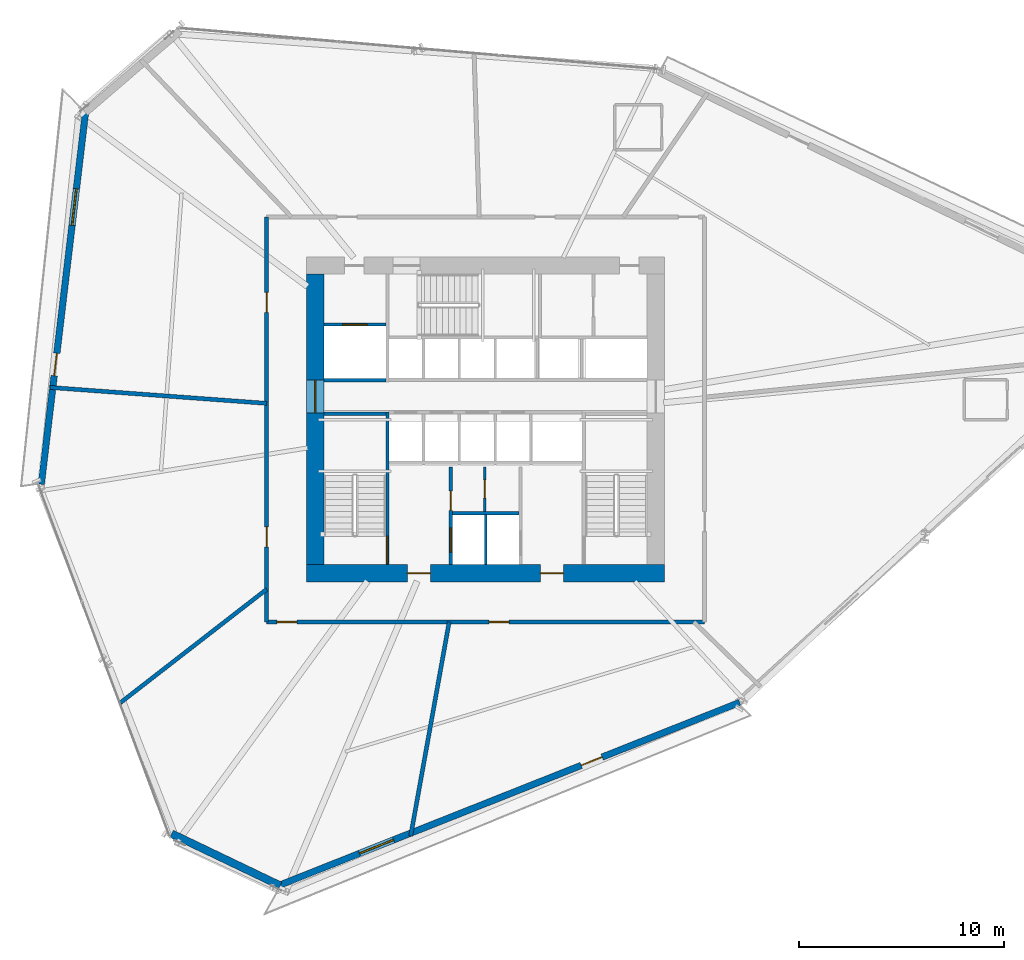
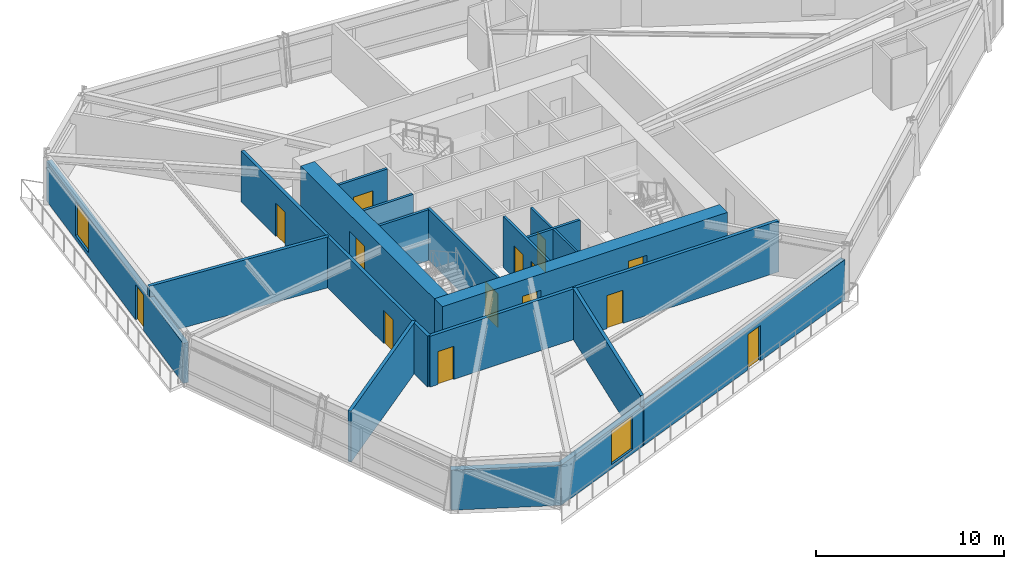
# One storey, part 15 of 21: 18 walls, 14 doors, 2 windows, 16 openings.
"""IFC4 building model written with IfcOpenShell, lengths in metres."""

from ifc_helpers import new_model, si_unit, direction, frame, frame_2d, origin, place, context, subcontext, project, spatial, rectangle, extrude, source, transform, mapped, material, layer, layer_set, type_object, type_shapes, element, fill, save


model = new_model("IFC4")

# Units and contexts
model_context = context("Model", 3, precision=1e-05, world=origin(), true_north=direction((0.0, 1.0)))
body_context = subcontext(model_context, "Body", "Model", "MODEL_VIEW")
ifc_project = project(units=[si_unit("LENGTHUNIT", "METRE"), si_unit("AREAUNIT", "SQUARE_METRE"), si_unit("VOLUMEUNIT", "CUBIC_METRE"), si_unit("PLANEANGLEUNIT", "RADIAN"), si_unit("MASSUNIT", "GRAM", prefix="KILO")], contexts=[model_context])

# Site, building, storey
site_placement = place(None, origin())
site = spatial("IfcSite", under=ifc_project, at=site_placement, CompositionType="ELEMENT")
building_placement = place(site_placement, origin())
building = spatial("IfcBuilding", under=site, at=building_placement, Name="Olszyna Solenne Hotel", CompositionType="ELEMENT")
storey_placement = place(building_placement, frame((0.0, 0.0, 68.35009765625)))
storey = spatial("IfcBuildingStorey", under=building, at=storey_placement, Name="L17", CompositionType="ELEMENT", Elevation=68.35009765625)

# Wall, openings, doors
ifc_material_1 = material(Name="Concrete C60/75", Category="concrete")
ifc_layer_1 = layer(ifc_material_1, 0.85009765625, Name="Concrete C60/75")
ifc_layer_set_1 = layer_set([ifc_layer_1], Name="Concrete C60/75")
wall_type_1 = type_object("IfcWallType", Name="WL-CR850", PredefinedType="SHEAR", material=ifc_layer_set_1)
wall_1_placement = place(storey_placement, frame((46.75, 19.074951171875, 0.0), z_axis=(0.0, 0.0, 1.0), x_axis=(-1.0, 0.0, 0.0)))
wall_1 = element("IfcWall", 1, at=wall_1_placement, inside=storey, type_object=wall_type_1, Name="Core shear wall WL-CR850 CRW-L17-S", PredefinedType="SHEAR", context=body_context, shape_type="SweptSolid", body=[
    extrude(rectangle(XDim=17.5, YDim=0.85009765625, at=frame_2d((8.75, 0.0))), origin(), (0.0, 0.0, 1.0), 3.2998046875),
])
opening_1_placement = place(wall_1_placement, frame((4.949951171875, 0.0, 0.0)))
opening_1 = element("IfcOpeningElement", 2, at=opening_1_placement, cuts=wall_1, Name="Opening FL-L17-1", PredefinedType="OPENING", context=body_context, shape_type="SweptSolid", body=[
    extrude(rectangle(XDim=1.1201171875, YDim=2.25, at=frame_2d((0.56005859375, 1.125))), frame((0.0, 0.43505859375, 0.0), z_axis=(0.0, -1.0, 0.0), x_axis=(1.0, 0.0, 0.0)), (0.0, 0.0, 1.0), 0.8701171875),
])
opening_2_placement = place(wall_1_placement, frame((11.449951171875, 0.0, 0.0)))
opening_2 = element("IfcOpeningElement", 3, at=opening_2_placement, cuts=wall_1, Name="Opening FL-L17-2", PredefinedType="OPENING", context=body_context, shape_type="SweptSolid", body=[
    extrude(rectangle(XDim=1.1201171875, YDim=2.25, at=frame_2d((0.56005859375, 1.125))), frame((0.0, 0.43505859375, 0.0), z_axis=(0.0, -1.0, 0.0), x_axis=(1.0, 0.0, 0.0)), (0.0, 0.0, 1.0), 0.8701171875),
])
ifc_material_2 = material(Name="Steel S355J2", Category="steel")
door_type_1 = type_object("IfcDoorType", Name="DR-FL1", OperationType="NOTDEFINED", PredefinedType="DOOR", material=ifc_material_2)
shared_shape_1 = source(origin(), body_context, "Body", "SweptSolid", [
    extrude(rectangle(XDim=1.1201171875, YDim=2.25, at=frame_2d((0.56005859375, 1.125))), frame((0.0, 0.02490234375, 0.0), z_axis=(0.0, -1.0, 0.0), x_axis=(1.0, 0.0, 0.0)), (0.0, 0.0, 1.0), 0.050048828125),
])
type_shapes(door_type_1, [shared_shape_1])
door_1_placement = place(opening_1_placement, origin())
door_1 = element("IfcDoor", 4, at=door_1_placement, inside=storey, type_object=door_type_1, Name="Firefighting lift lobby smoke door FL-L17-1", OperationType="SINGLE_SWING_LEFT", OverallHeight=2.25, OverallWidth=1.1201171875, PredefinedType="DOOR", context=body_context, shape_type="MappedRepresentation", body=[
    mapped(shared_shape_1, transform((0.0, 0.0, 0.0), x_axis=(1.0, 0.0, 0.0), y_axis=(0.0, 1.0, 0.0), z_axis=(0.0, 0.0, 1.0), scale=1.0)),
])
fill(opening_1, door_1)
door_2_placement = place(opening_2_placement, origin())
door_2 = element("IfcDoor", 5, at=door_2_placement, inside=storey, type_object=door_type_1, Name="Firefighting lift lobby smoke door FL-L17-2", OperationType="SINGLE_SWING_RIGHT", OverallHeight=2.25, OverallWidth=1.1201171875, PredefinedType="DOOR", context=body_context, shape_type="MappedRepresentation", body=[
    mapped(shared_shape_1, transform((0.0, 0.0, 0.0), x_axis=(1.0, 0.0, 0.0), y_axis=(0.0, 1.0, 0.0), z_axis=(0.0, 0.0, 1.0), scale=1.0)),
])
fill(opening_2, door_2)

# Wall, opening, door
wall_2_placement = place(storey_placement, frame((29.675048828125, 19.5, 0.0), z_axis=(0.0, 0.0, 1.0), x_axis=(0.0, 1.0, 0.0)))
wall_2 = element("IfcWall", 6, at=wall_2_placement, inside=storey, type_object=wall_type_1, Name="Core shear wall WL-CR850 CRW-L17-W", PredefinedType="SHEAR", context=body_context, shape_type="SweptSolid", body=[
    extrude(rectangle(XDim=14.199951171875, YDim=0.85009765625, at=frame_2d((7.10009765625, 0.0))), origin(), (0.0, 0.0, 1.0), 3.2998046875),
])
opening_3_placement = place(wall_2_placement, frame((7.419921875, 0.0, 0.0)))
opening_3 = element("IfcOpeningElement", 7, at=opening_3_placement, cuts=wall_2, Name="Opening LHD-L17-W", PredefinedType="OPENING", context=body_context, shape_type="SweptSolid", body=[
    extrude(rectangle(XDim=1.60009765625, YDim=2.199951171875, at=frame_2d((0.800048828125, 1.10009765625))), frame((0.0, 0.43505859375, 0.0), z_axis=(0.0, -1.0, 0.0), x_axis=(1.0, 0.0, 0.0)), (0.0, 0.0, 1.0), 0.8701171875),
])
ifc_material_3 = material(Name="Timber hardwood", Category="wood")
door_type_2 = type_object("IfcDoorType", Name="DR-CR1", OperationType="DOUBLE_DOOR_SINGLE_SWING", PredefinedType="DOOR", material=ifc_material_3)
shared_shape_2 = source(origin(), body_context, "Body", "SweptSolid", [
    extrude(rectangle(XDim=1.60009765625, YDim=2.199951171875, at=frame_2d((0.800048828125, 1.10009765625))), frame((0.0, 0.02490234375, 0.0), z_axis=(0.0, -1.0, 0.0), x_axis=(1.0, 0.0, 0.0)), (0.0, 0.0, 1.0), 0.050048828125),
])
type_shapes(door_type_2, [shared_shape_2])
door_3_placement = place(opening_3_placement, origin())
door_3 = element("IfcDoor", 8, at=door_3_placement, inside=storey, type_object=door_type_2, Name="Passenger lift lobby West fire door LHD-L17-W", OperationType="DOUBLE_DOOR_SINGLE_SWING", OverallHeight=2.199951171875, OverallWidth=1.60009765625, PredefinedType="DOOR", context=body_context, shape_type="MappedRepresentation", body=[
    mapped(shared_shape_2, transform((0.0, 0.0, 0.0), x_axis=(1.0, 0.0, 0.0), y_axis=(0.0, 1.0, 0.0), z_axis=(0.0, 0.0, 1.0), scale=1.0)),
])
fill(opening_3, door_3)

# Wall, openings, door, window
ifc_material_4 = material(Name="Precast concrete C45/55", Category="concrete")
ifc_layer_2 = layer(ifc_material_4, 0.320068359375, Name="Precast concrete C45/55")
ifc_layer_set_2 = layer_set([ifc_layer_2], Name="Precast concrete C45/55")
wall_type_2 = type_object("IfcWallType", Name="WL-EX320", PredefinedType="SOLIDWALL", material=ifc_layer_set_2)
wall_3_placement = place(storey_placement, frame((50.4169921875, 12.765380859375, 0.0), z_axis=(0.0, 0.0, 1.0), x_axis=(-0.929420161731, -0.369023255322, 0.0)))
wall_3 = element("IfcWall", 9, at=wall_3_placement, inside=storey, type_object=wall_type_2, Name="Exterior terracotta-precast frame wall WL-EX320 EW-L17-01", PredefinedType="SOLIDWALL", context=body_context, shape_type="SweptSolid", body=[
    extrude(rectangle(XDim=24.31787109375, YDim=0.320068359375, at=frame_2d((12.158935546875, 0.0))), origin(), (0.0, 0.0, 1.0), 2.591796875),
])
opening_4_placement = place(wall_3_placement, frame((7.23193359375, 0.0, 0.0)))
opening_4 = element("IfcOpeningElement", 10, at=opening_4_placement, cuts=wall_3, Name="Opening LDG-L17-3", PredefinedType="OPENING", context=body_context, shape_type="SweptSolid", body=[
    extrude(rectangle(XDim=1.10009765625, YDim=2.300048828125, at=frame_2d((0.550048828125, 1.14990234375))), frame((0.0, 0.169921875, 0.0), z_axis=(0.0, -1.0, 0.0), x_axis=(1.0, 0.0, 0.0)), (0.0, 0.0, 1.0), 0.340087890625),
])
opening_5_placement = place(wall_3_placement, frame((18.195068359375, 0.0, 0.27197265625)))
opening_5 = element("IfcOpeningElement", 11, at=opening_5_placement, cuts=wall_3, Name="Opening WN-L17-079", PredefinedType="OPENING", context=body_context, shape_type="SweptSolid", body=[
    extrude(rectangle(XDim=1.800048828125, YDim=2.199951171875, at=frame_2d((0.89990234375, 1.10009765625))), frame((0.0, 0.169921875, 0.0), z_axis=(0.0, -1.0, 0.0), x_axis=(1.0, 0.0, 0.0)), (0.0, 0.0, 1.0), 0.340087890625),
])
ifc_material_5 = material(Name="Anodised bronze aluminium", Category="aluminium")
door_type_3 = type_object("IfcDoorType", Name="DR-LG1", OperationType="NOTDEFINED", PredefinedType="DOOR", material=ifc_material_5)
shared_shape_3 = source(origin(), body_context, "Body", "SweptSolid", [
    extrude(rectangle(XDim=1.10009765625, YDim=2.300048828125, at=frame_2d((0.550048828125, 1.14990234375))), frame((0.0, 0.02490234375, 0.0), z_axis=(0.0, -1.0, 0.0), x_axis=(1.0, 0.0, 0.0)), (0.0, 0.0, 1.0), 0.050048828125),
])
type_shapes(door_type_3, [shared_shape_3])
door_4_placement = place(opening_4_placement, origin())
door_4 = element("IfcDoor", 12, at=door_4_placement, inside=storey, type_object=door_type_3, Name="Exterior loggia balcony door DR-LG1 LDG-L17-3", OperationType="SINGLE_SWING_LEFT", OverallHeight=2.300048828125, OverallWidth=1.10009765625, PredefinedType="DOOR", context=body_context, shape_type="MappedRepresentation", body=[
    mapped(shared_shape_3, transform((0.0, 0.0, 0.0), x_axis=(1.0, 0.0, 0.0), y_axis=(0.0, 1.0, 0.0), z_axis=(0.0, 0.0, 1.0), scale=1.0)),
])
fill(opening_4, door_4)
ifc_material_6 = material(Name="Low-E triple glazing", Category="glass")
window_type = type_object("IfcWindowType", Name="WN-HT1", PartitioningType="SINGLE_PANEL", PredefinedType="WINDOW", material=ifc_material_6)
shared_shape_4 = source(origin(), body_context, "Body", "SweptSolid", [
    extrude(rectangle(XDim=1.800048828125, YDim=2.199951171875, at=frame_2d((0.89990234375, 1.10009765625))), frame((0.0, 0.030029296875, 0.0), z_axis=(0.0, -1.0, 0.0), x_axis=(1.0, 0.0, 0.0)), (0.0, 0.0, 1.0), 0.06005859375),
])
type_shapes(window_type, [shared_shape_4])
window_1_placement = place(opening_5_placement, origin())
window_1 = element("IfcWindow", 13, at=window_1_placement, inside=storey, type_object=window_type, Name="Loggia room window WN-HT1 WN-L17-079", OverallHeight=2.199951171875, OverallWidth=1.800048828125, PartitioningType="SINGLE_PANEL", PredefinedType="WINDOW", context=body_context, shape_type="MappedRepresentation", body=[
    mapped(shared_shape_4, transform((0.0, 0.0, 0.0), x_axis=(1.0, 0.0, 0.0), y_axis=(0.0, 1.0, 0.0), z_axis=(0.0, 0.0, 1.0), scale=1.0)),
])
fill(opening_5, window_1)

wall_4_placement = place(storey_placement, frame((16.281982421875, 23.431396484375, 0.0), z_axis=(0.0, 0.0, 1.0), x_axis=(0.118122099546, 0.992999078347, 0.0)))
wall_4 = element("IfcWall", 14, at=wall_4_placement, inside=storey, type_object=wall_type_2, Name="Exterior terracotta-precast frame wall WL-EX320 EW-L17-04", PredefinedType="SOLIDWALL", context=body_context, shape_type="SweptSolid", body=[
    extrude(rectangle(XDim=18.434326171875, YDim=0.320068359375, at=frame_2d((9.21728515625, 0.0))), origin(), (0.0, 0.0, 1.0), 2.591796875),
])
opening_6_placement = place(wall_4_placement, frame((5.34912109375, 0.0, 0.0)))
opening_6 = element("IfcOpeningElement", 15, at=opening_6_placement, cuts=wall_4, Name="Opening LDG-L17-2", PredefinedType="OPENING", context=body_context, shape_type="SweptSolid", body=[
    extrude(rectangle(XDim=1.10009765625, YDim=2.300048828125, at=frame_2d((0.550048828125, 1.14990234375))), frame((0.0, 0.169921875, 0.0), z_axis=(0.0, -1.0, 0.0), x_axis=(1.0, 0.0, 0.0)), (0.0, 0.0, 1.0), 0.340087890625),
])
opening_7_placement = place(wall_4_placement, frame((12.740966796875, 0.0, 0.27197265625)))
opening_7 = element("IfcOpeningElement", 16, at=opening_7_placement, cuts=wall_4, Name="Opening WN-L17-080", PredefinedType="OPENING", context=body_context, shape_type="SweptSolid", body=[
    extrude(rectangle(XDim=1.800048828125, YDim=2.199951171875, at=frame_2d((0.89990234375, 1.10009765625))), frame((0.0, 0.169921875, 0.0), z_axis=(0.0, -1.0, 0.0), x_axis=(1.0, 0.0, 0.0)), (0.0, 0.0, 1.0), 0.340087890625),
])
door_5_placement = place(opening_6_placement, origin())
door_5 = element("IfcDoor", 17, at=door_5_placement, inside=storey, type_object=door_type_3, Name="Exterior loggia balcony door DR-LG1 LDG-L17-2", OperationType="SINGLE_SWING_RIGHT", OverallHeight=2.300048828125, OverallWidth=1.10009765625, PredefinedType="DOOR", context=body_context, shape_type="MappedRepresentation", body=[
    mapped(shared_shape_3, transform((0.0, 0.0, 0.0), x_axis=(1.0, 0.0, 0.0), y_axis=(0.0, 1.0, 0.0), z_axis=(0.0, 0.0, 1.0), scale=1.0)),
])
fill(opening_6, door_5)
window_2_placement = place(opening_7_placement, origin())
window_2 = element("IfcWindow", 18, at=window_2_placement, inside=storey, type_object=window_type, Name="Loggia room window WN-HT1 WN-L17-080", OverallHeight=2.199951171875, OverallWidth=1.800048828125, PartitioningType="SINGLE_PANEL", PredefinedType="WINDOW", context=body_context, shape_type="MappedRepresentation", body=[
    mapped(shared_shape_4, transform((0.0, 0.0, 0.0), x_axis=(1.0, 0.0, 0.0), y_axis=(0.0, 1.0, 0.0), z_axis=(0.0, 0.0, 1.0), scale=1.0)),
])
fill(opening_7, window_2)

# Walls
ifc_material_7 = material(Name="Terracotta cladding on precast concrete C45/55", Category="masonry")
ifc_layer_3 = layer(ifc_material_7, 0.3798828125, Name="Terracotta cladding on precast concrete C45/55")
ifc_layer_set_3 = layer_set([ifc_layer_3], Name="Terracotta cladding on precast concrete C45/55")
wall_type_3 = type_object("IfcWallType", Name="WL-EX380", PredefinedType="SOLIDWALL", material=ifc_layer_set_3)
wall_5_placement = place(storey_placement, frame((27.95654296875, 3.81396484375, 0.0), z_axis=(0.0, 0.0, 1.0), x_axis=(-0.901836602669, 0.432077240879, 0.0)))
element("IfcWall", 19, at=wall_5_placement, inside=storey, type_object=wall_type_3, Name="Exterior terracotta-precast frame wall WL-EX380 EW-L17-02", PredefinedType="SOLIDWALL", context=body_context, shape_type="SweptSolid", body=[
    extrude(rectangle(XDim=5.87646484375, YDim=0.3798828125, at=frame_2d((2.938232421875, 0.0))), origin(), (0.0, 0.0, 1.0), 2.591796875),
])
ifc_material_8 = material(Name="Acoustic gypsum partition", Category="gypsum")
ifc_layer_4 = layer(ifc_material_8, 0.125, Name="Acoustic gypsum partition")
ifc_layer_set_4 = layer_set([ifc_layer_4], Name="Acoustic gypsum partition")
wall_type_4 = type_object("IfcWallType", Name="WL-PT125", PredefinedType="PARTITIONING", material=ifc_layer_set_4)
wall_6_placement = place(storey_placement, frame((38.0, 19.5, 0.0), z_axis=(0.0, 0.0, 1.0), x_axis=(0.0, 1.0, 0.0)))
element("IfcWall", 20, at=wall_6_placement, inside=storey, type_object=wall_type_4, Name="Core shaft compartment wall CW-L17-FFM", PredefinedType="PARTITIONING", context=body_context, shape_type="SweptSolid", body=[
    extrude(rectangle(XDim=2.4599609375, YDim=0.125, at=frame_2d((1.22998046875, 0.0))), origin(), (0.0, 0.0, 1.0), 3.2998046875),
])

# Wall, opening, door
wall_7_placement = place(storey_placement, frame((37.9599609375, 22.10009765625, 0.0), z_axis=(0.0, 0.0, 1.0), x_axis=(0.0, 1.0, 0.0)))
wall_7 = element("IfcWall", 21, at=wall_7_placement, inside=storey, type_object=wall_type_4, Name="Core shaft compartment wall CW-L17-SC1", PredefinedType="PARTITIONING", context=body_context, shape_type="SweptSolid", body=[
    extrude(rectangle(XDim=2.179931640625, YDim=0.125, at=frame_2d((1.08984375, 0.0))), origin(), (0.0, 0.0, 1.0), 3.2998046875),
])
opening_8_placement = place(wall_7_placement, frame((0.64990234375, 0.0, 0.0)))
opening_8 = element("IfcOpeningElement", 22, at=opening_8_placement, cuts=wall_7, Name="Opening SVD-L17-SC1", PredefinedType="OPENING", context=body_context, shape_type="SweptSolid", body=[
    extrude(rectangle(XDim=0.89990234375, YDim=2.10009765625, at=frame_2d((0.449951171875, 1.050048828125))), frame((0.0, 0.072509765625, 0.0), z_axis=(0.0, -1.0, 0.0), x_axis=(1.0, 0.0, 0.0)), (0.0, 0.0, 1.0), 0.14501953125),
])
door_type_4 = type_object("IfcDoorType", Name="DR-WC1", OperationType="NOTDEFINED", PredefinedType="DOOR", material=ifc_material_3)
shared_shape_5 = source(origin(), body_context, "Body", "SweptSolid", [
    extrude(rectangle(XDim=0.89990234375, YDim=2.10009765625, at=frame_2d((0.449951171875, 1.050048828125))), frame((0.0, 0.02490234375, 0.0), z_axis=(0.0, -1.0, 0.0), x_axis=(1.0, 0.0, 0.0)), (0.0, 0.0, 1.0), 0.050048828125),
])
type_shapes(door_type_4, [shared_shape_5])
door_6_placement = place(opening_8_placement, origin())
door_6 = element("IfcDoor", 23, at=door_6_placement, inside=storey, type_object=door_type_4, Name="Pantry locker door SVD-L17-SC1", OperationType="SINGLE_SWING_LEFT", OverallHeight=2.10009765625, OverallWidth=0.89990234375, PredefinedType="DOOR", context=body_context, shape_type="MappedRepresentation", body=[
    mapped(shared_shape_5, transform((0.0, 0.0, 0.0), x_axis=(1.0, 0.0, 0.0), y_axis=(0.0, 1.0, 0.0), z_axis=(0.0, 0.0, 1.0), scale=1.0)),
])
fill(opening_8, door_6)

ifc_layer_5 = layer(ifc_material_8, 0.159912109375, Name="Acoustic gypsum partition")
ifc_layer_set_5 = layer_set([ifc_layer_5], Name="Acoustic gypsum partition")
wall_type_5 = type_object("IfcWallType", Name="WL-PT160", PredefinedType="PARTITIONING", material=ifc_layer_set_5)
wall_8_placement = place(storey_placement, frame((33.199951171875, 19.5, 0.0), z_axis=(0.0, 0.0, 1.0), x_axis=(0.0, 1.0, 0.0)))
wall_8 = element("IfcWall", 24, at=wall_8_placement, inside=storey, type_object=wall_type_5, Name="Core shaft compartment wall CW-L17-ST1E", PredefinedType="PARTITIONING", context=body_context, shape_type="SweptSolid", body=[
    extrude(rectangle(XDim=7.4599609375, YDim=0.159912109375, at=frame_2d((3.72998046875, 0.0))), origin(), (0.0, 0.0, 1.0), 3.2998046875),
])
opening_9_placement = place(wall_8_placement, frame((0.080078125, 0.0, 0.0)))
opening_9 = element("IfcOpeningElement", 25, at=opening_9_placement, cuts=wall_8, Name="Opening STD-L17-01", PredefinedType="OPENING", context=body_context, shape_type="SweptSolid", body=[
    extrude(rectangle(XDim=1.320068359375, YDim=2.199951171875, at=frame_2d((0.66015625, 1.10009765625))), frame((0.0, 0.08984375, 0.0), z_axis=(0.0, -1.0, 0.0), x_axis=(1.0, 0.0, 0.0)), (0.0, 0.0, 1.0), 0.179931640625),
])
door_type_5 = type_object("IfcDoorType", Name="DR-ST1", OperationType="NOTDEFINED", PredefinedType="DOOR", material=ifc_material_2)
shared_shape_6 = source(origin(), body_context, "Body", "SweptSolid", [
    extrude(rectangle(XDim=1.320068359375, YDim=2.199951171875, at=frame_2d((0.66015625, 1.10009765625))), frame((0.0, 0.02490234375, 0.0), z_axis=(0.0, -1.0, 0.0), x_axis=(1.0, 0.0, 0.0)), (0.0, 0.0, 1.0), 0.050048828125),
])
type_shapes(door_type_5, [shared_shape_6])
door_7_placement = place(opening_9_placement, origin())
door_7 = element("IfcDoor", 26, at=door_7_placement, inside=storey, type_object=door_type_5, Name="Pressurised exit stair ST1 fire door STD-L17-01", OperationType="SINGLE_SWING_LEFT", OverallHeight=2.199951171875, OverallWidth=1.320068359375, PredefinedType="DOOR", context=body_context, shape_type="MappedRepresentation", body=[
    mapped(shared_shape_6, transform((0.0, 0.0, 0.0), x_axis=(1.0, 0.0, 0.0), y_axis=(0.0, 1.0, 0.0), z_axis=(0.0, 0.0, 1.0), scale=1.0)),
])
fill(opening_9, door_7)

# Wall
wall_9_placement = place(storey_placement, frame((30.10009765625, 26.8798828125, 0.0), z_axis=(0.0, 0.0, 1.0), x_axis=(1.0, 0.0, 0.0)))
element("IfcWall", 27, at=wall_9_placement, inside=storey, type_object=wall_type_5, Name="Core shaft compartment wall CW-L17-ST1N", PredefinedType="PARTITIONING", context=body_context, shape_type="SweptSolid", body=[
    extrude(rectangle(XDim=3.02001953125, YDim=0.159912109375, at=frame_2d((1.510009765625, 0.0))), origin(), (0.0, 0.0, 1.0), 3.2998046875),
])

# Wall, openings, doors
wall_10_placement = place(storey_placement, frame((36.300048828125, 19.5, 0.0), z_axis=(0.0, 0.0, 1.0), x_axis=(0.0, 1.0, 0.0)))
wall_10 = element("IfcWall", 28, at=wall_10_placement, inside=storey, type_object=wall_type_5, Name="Core shaft compartment wall CW-L17-FF1W", PredefinedType="PARTITIONING", context=body_context, shape_type="SweptSolid", body=[
    extrude(rectangle(XDim=4.780029296875, YDim=0.159912109375, at=frame_2d((2.39013671875, 0.0))), origin(), (0.0, 0.0, 1.0), 3.2998046875),
])
opening_10_placement = place(wall_10_placement, frame((0.60009765625, 0.0, 0.0)))
opening_10 = element("IfcOpeningElement", 29, at=opening_10_placement, cuts=wall_10, Name="Opening LD-L17-FF1", PredefinedType="OPENING", context=body_context, shape_type="SweptSolid", body=[
    extrude(rectangle(XDim=1.199951171875, YDim=2.199951171875, at=frame_2d((0.60009765625, 1.10009765625))), frame((0.0, 0.08984375, 0.0), z_axis=(0.0, -1.0, 0.0), x_axis=(1.0, 0.0, 0.0)), (0.0, 0.0, 1.0), 0.179931640625),
])
opening_11_placement = place(wall_10_placement, frame((2.64990234375, 0.0, 0.0)))
opening_11 = element("IfcOpeningElement", 30, at=opening_11_placement, cuts=wall_10, Name="Opening SVD-L17-SMK", PredefinedType="OPENING", context=body_context, shape_type="SweptSolid", body=[
    extrude(rectangle(XDim=0.949951171875, YDim=2.10009765625, at=frame_2d((0.47509765625, 1.050048828125))), frame((0.0, 0.08984375, 0.0), z_axis=(0.0, -1.0, 0.0), x_axis=(1.0, 0.0, 0.0)), (0.0, 0.0, 1.0), 0.179931640625),
])
door_type_6 = type_object("IfcDoorType", Name="DR-SV1", OperationType="NOTDEFINED", PredefinedType="DOOR", material=ifc_material_2)
shared_shape_7 = source(origin(), body_context, "Body", "SweptSolid", [
    extrude(rectangle(XDim=0.949951171875, YDim=2.10009765625, at=frame_2d((0.47509765625, 1.050048828125))), frame((0.0, 0.02490234375, 0.0), z_axis=(0.0, -1.0, 0.0), x_axis=(1.0, 0.0, 0.0)), (0.0, 0.0, 1.0), 0.050048828125),
])
type_shapes(door_type_6, [shared_shape_7])
door_8_placement = place(opening_11_placement, origin())
door_8 = element("IfcDoor", 31, at=door_8_placement, inside=storey, type_object=door_type_6, Name="Valet and core service room door SVD-L17-SMK", OperationType="SINGLE_SWING_LEFT", OverallHeight=2.10009765625, OverallWidth=0.949951171875, PredefinedType="DOOR", context=body_context, shape_type="MappedRepresentation", body=[
    mapped(shared_shape_7, transform((0.0, 0.0, 0.0), x_axis=(1.0, 0.0, 0.0), y_axis=(0.0, 1.0, 0.0), z_axis=(0.0, 0.0, 1.0), scale=1.0)),
])
fill(opening_11, door_8)
door_type_7 = type_object("IfcDoorType", Name="LD-FF1", OperationType="DOUBLE_DOOR_SLIDING", PredefinedType="DOOR", material=ifc_material_2)
shared_shape_8 = source(origin(), body_context, "Body", "SweptSolid", [
    extrude(rectangle(XDim=1.199951171875, YDim=2.199951171875, at=frame_2d((0.60009765625, 1.10009765625))), frame((0.0, 0.02490234375, 0.0), z_axis=(0.0, -1.0, 0.0), x_axis=(1.0, 0.0, 0.0)), (0.0, 0.0, 1.0), 0.050048828125),
])
type_shapes(door_type_7, [shared_shape_8])
door_9_placement = place(opening_10_placement, origin())
door_9 = element("IfcDoor", 32, at=door_9_placement, inside=storey, type_object=door_type_7, Name="Firefighters lift FF1 sliding landing door LD-L17-FF1", OperationType="DOUBLE_DOOR_SLIDING", OverallHeight=2.199951171875, OverallWidth=1.199951171875, PredefinedType="DOOR", context=body_context, shape_type="MappedRepresentation", body=[
    mapped(shared_shape_8, transform((0.0, 0.0, 0.0), x_axis=(1.0, 0.0, 0.0), y_axis=(0.0, 1.0, 0.0), z_axis=(0.0, 0.0, 1.0), scale=1.0)),
])
fill(opening_10, door_9)

# Walls
wall_11_placement = place(storey_placement, frame((36.3798828125, 22.02001953125, 0.0), z_axis=(0.0, 0.0, 1.0), x_axis=(1.0, 0.0, 0.0)))
element("IfcWall", 33, at=wall_11_placement, inside=storey, type_object=wall_type_5, Name="Core shaft compartment wall CW-L17-FFN", PredefinedType="PARTITIONING", context=body_context, shape_type="SweptSolid", body=[
    extrude(rectangle(XDim=3.240234375, YDim=0.159912109375, at=frame_2d((1.6201171875, 0.0))), origin(), (0.0, 0.0, 1.0), 3.2998046875),
])
wall_12_placement = place(storey_placement, frame((30.10009765625, 28.52001953125, 0.0), z_axis=(0.0, 0.0, 1.0), x_axis=(1.0, 0.0, 0.0)))
element("IfcWall", 34, at=wall_12_placement, inside=storey, type_object=wall_type_5, Name="Core shaft compartment wall CW-L17-SV1S", PredefinedType="PARTITIONING", context=body_context, shape_type="SweptSolid", body=[
    extrude(rectangle(XDim=3.02001953125, YDim=0.159912109375, at=frame_2d((1.510009765625, 0.0))), origin(), (0.0, 0.0, 1.0), 3.2998046875),
])

# Wall, opening, door
wall_13_placement = place(storey_placement, frame((30.10009765625, 31.239990234375, 0.0), z_axis=(0.0, 0.0, 1.0), x_axis=(1.0, 0.0, 0.0)))
wall_13 = element("IfcWall", 35, at=wall_13_placement, inside=storey, type_object=wall_type_5, Name="Core shaft compartment wall CW-L17-SV1N", PredefinedType="PARTITIONING", context=body_context, shape_type="SweptSolid", body=[
    extrude(rectangle(XDim=3.02001953125, YDim=0.159912109375, at=frame_2d((1.510009765625, 0.0))), origin(), (0.0, 0.0, 1.0), 3.2998046875),
])
opening_12_placement = place(wall_13_placement, frame((0.909912109375, 0.0, 0.0)))
opening_12 = element("IfcOpeningElement", 36, at=opening_12_placement, cuts=wall_13, Name="Opening LD-L17-SV1", PredefinedType="OPENING", context=body_context, shape_type="SweptSolid", body=[
    extrude(rectangle(XDim=1.199951171875, YDim=2.199951171875, at=frame_2d((0.60009765625, 1.10009765625))), frame((0.0, 0.08984375, 0.0), z_axis=(0.0, -1.0, 0.0), x_axis=(1.0, 0.0, 0.0)), (0.0, 0.0, 1.0), 0.179931640625),
])
door_10_placement = place(opening_12_placement, origin())
door_10 = element("IfcDoor", 37, at=door_10_placement, inside=storey, type_object=door_type_7, Name="Service lift SV1 sliding landing door LD-L17-SV1", OperationType="DOUBLE_DOOR_SLIDING", OverallHeight=2.199951171875, OverallWidth=1.199951171875, PredefinedType="DOOR", context=body_context, shape_type="MappedRepresentation", body=[
    mapped(shared_shape_8, transform((0.0, 0.0, 0.0), x_axis=(1.0, 0.0, 0.0), y_axis=(0.0, 1.0, 0.0), z_axis=(0.0, 0.0, 1.0), scale=1.0)),
])
fill(opening_12, door_10)

# Walls
ifc_layer_6 = layer(ifc_material_8, 0.199951171875, Name="Acoustic gypsum partition")
ifc_layer_set_6 = layer_set([ifc_layer_6], Name="Acoustic gypsum partition")
wall_type_6 = type_object("IfcWallType", Name="WL-PT200", PredefinedType="PARTITIONING", material=ifc_layer_set_6)
wall_14_placement = place(storey_placement, frame((27.300048828125, 27.3857421875, 0.0), z_axis=(0.0, 0.0, 1.0), x_axis=(-0.997314744945, 0.073234551382, 0.0)))
element("IfcWall", 38, at=wall_14_placement, inside=storey, type_object=wall_type_6, Name="Interior acoustic partition WL-PT200 PW-L17-0974", PredefinedType="PARTITIONING", context=body_context, shape_type="SweptSolid", body=[
    extrude(rectangle(XDim=10.614501953125, YDim=0.199951171875, at=frame_2d((5.30712890625, 0.0))), origin(), (0.0, 0.0, 1.0), 3.2998046875),
])
wall_15_placement = place(storey_placement, frame((27.300048828125, 18.30029296875, 0.0), z_axis=(0.0, 0.0, 1.0), x_axis=(-0.790147791411, -0.612916362752, 0.0)))
element("IfcWall", 39, at=wall_15_placement, inside=storey, type_object=wall_type_6, Name="Interior acoustic partition WL-PT200 PW-L17-0975", PredefinedType="PARTITIONING", context=body_context, shape_type="SweptSolid", body=[
    extrude(rectangle(XDim=9.047607421875, YDim=0.199951171875, at=frame_2d((4.52392578125, 0.0))), origin(), (0.0, 0.0, 1.0), 3.2998046875),
])
wall_16_placement = place(storey_placement, frame((36.21875, 16.699951171875, 0.0), z_axis=(0.0, 0.0, 1.0), x_axis=(-0.177081788968, -0.984196138997, 0.0)))
element("IfcWall", 40, at=wall_16_placement, inside=storey, type_object=wall_type_6, Name="Interior acoustic partition WL-PT200 PW-L17-0976", PredefinedType="PARTITIONING", context=body_context, shape_type="SweptSolid", body=[
    extrude(rectangle(XDim=10.626953125, YDim=0.199951171875, at=frame_2d((5.3134765625, 0.0))), origin(), (0.0, 0.0, 1.0), 3.2998046875),
])

# Wall, openings, doors
wall_17_placement = place(storey_placement, frame((27.300048828125, 16.699951171875, 0.0), z_axis=(0.0, 0.0, 1.0), x_axis=(1.0, 0.0, 0.0)))
wall_17 = element("IfcWall", 41, at=wall_17_placement, inside=storey, type_object=wall_type_6, Name="Interior acoustic partition WL-PT200 PW-L17-0992", PredefinedType="PARTITIONING", context=body_context, shape_type="SweptSolid", body=[
    extrude(rectangle(XDim=21.39990234375, YDim=0.199951171875, at=frame_2d((10.699951171875, 0.0))), origin(), (0.0, 0.0, 1.0), 3.2998046875),
])
opening_13_placement = place(wall_17_placement, frame((0.493896484375, 0.0, 0.0)))
opening_13 = element("IfcOpeningElement", 42, at=opening_13_placement, cuts=wall_17, Name="Opening DR-L17-0225", PredefinedType="OPENING", context=body_context, shape_type="SweptSolid", body=[
    extrude(rectangle(XDim=0.97998046875, YDim=2.14990234375, at=frame_2d((0.489990234375, 1.074951171875))), frame((0.0, 0.10986328125, 0.0), z_axis=(0.0, -1.0, 0.0), x_axis=(1.0, 0.0, 0.0)), (0.0, 0.0, 1.0), 0.219970703125),
])
opening_14_placement = place(wall_17_placement, frame((10.867919921875, 0.0, 0.0)))
opening_14 = element("IfcOpeningElement", 43, at=opening_14_placement, cuts=wall_17, Name="Opening DR-L17-0226", PredefinedType="OPENING", context=body_context, shape_type="SweptSolid", body=[
    extrude(rectangle(XDim=0.97998046875, YDim=2.14990234375, at=frame_2d((0.489990234375, 1.074951171875))), frame((0.0, 0.10986328125, 0.0), z_axis=(0.0, -1.0, 0.0), x_axis=(1.0, 0.0, 0.0)), (0.0, 0.0, 1.0), 0.219970703125),
])
door_type_8 = type_object("IfcDoorType", Name="DR-RM1", OperationType="NOTDEFINED", PredefinedType="DOOR", material=ifc_material_3)
shared_shape_9 = source(origin(), body_context, "Body", "SweptSolid", [
    extrude(rectangle(XDim=0.97998046875, YDim=2.14990234375, at=frame_2d((0.489990234375, 1.074951171875))), frame((0.0, 0.02490234375, 0.0), z_axis=(0.0, -1.0, 0.0), x_axis=(1.0, 0.0, 0.0)), (0.0, 0.0, 1.0), 0.050048828125),
])
type_shapes(door_type_8, [shared_shape_9])
door_11_placement = place(opening_13_placement, origin())
door_11 = element("IfcDoor", 44, at=door_11_placement, inside=storey, type_object=door_type_8, Name="Private Business Office Entrance Door DR-L17-0225", OperationType="SINGLE_SWING_LEFT", OverallHeight=2.14990234375, OverallWidth=0.97998046875, PredefinedType="DOOR", context=body_context, shape_type="MappedRepresentation", body=[
    mapped(shared_shape_9, transform((0.0, 0.0, 0.0), x_axis=(1.0, 0.0, 0.0), y_axis=(0.0, 1.0, 0.0), z_axis=(0.0, 0.0, 1.0), scale=1.0)),
])
fill(opening_13, door_11)
door_12_placement = place(opening_14_placement, origin())
door_12 = element("IfcDoor", 45, at=door_12_placement, inside=storey, type_object=door_type_8, Name="Conference Boardroom Entrance Door DR-L17-0226", OperationType="SINGLE_SWING_RIGHT", OverallHeight=2.14990234375, OverallWidth=0.97998046875, PredefinedType="DOOR", context=body_context, shape_type="MappedRepresentation", body=[
    mapped(shared_shape_9, transform((0.0, 0.0, 0.0), x_axis=(1.0, 0.0, 0.0), y_axis=(0.0, 1.0, 0.0), z_axis=(0.0, 0.0, 1.0), scale=1.0)),
])
fill(opening_14, door_12)

wall_18_placement = place(storey_placement, frame((27.300048828125, 16.699951171875, 0.0), z_axis=(0.0, 0.0, 1.0), x_axis=(0.0, 1.0, 0.0)))
wall_18 = element("IfcWall", 46, at=wall_18_placement, inside=storey, type_object=wall_type_6, Name="Interior acoustic partition WL-PT200 PW-L17-0993", PredefinedType="PARTITIONING", context=body_context, shape_type="SweptSolid", body=[
    extrude(rectangle(XDim=19.800048828125, YDim=0.199951171875, at=frame_2d((9.89990234375, 0.0))), origin(), (0.0, 0.0, 1.0), 3.2998046875),
])
opening_15_placement = place(wall_18_placement, frame((15.1298828125, 0.0, 0.0)))
opening_15 = element("IfcOpeningElement", 47, at=opening_15_placement, cuts=wall_18, Name="Opening DR-L17-0227", PredefinedType="OPENING", context=body_context, shape_type="SweptSolid", body=[
    extrude(rectangle(XDim=0.97998046875, YDim=2.14990234375, at=frame_2d((0.489990234375, 1.074951171875))), frame((0.0, 0.10986328125, 0.0), z_axis=(0.0, -1.0, 0.0), x_axis=(1.0, 0.0, 0.0)), (0.0, 0.0, 1.0), 0.219970703125),
])
opening_16_placement = place(wall_18_placement, frame((3.6669921875, 0.0, 0.0)))
opening_16 = element("IfcOpeningElement", 48, at=opening_16_placement, cuts=wall_18, Name="Opening DR-L17-0228", PredefinedType="OPENING", context=body_context, shape_type="SweptSolid", body=[
    extrude(rectangle(XDim=0.97998046875, YDim=2.14990234375, at=frame_2d((0.489990234375, 1.074951171875))), frame((0.0, 0.10986328125, 0.0), z_axis=(0.0, -1.0, 0.0), x_axis=(1.0, 0.0, 0.0)), (0.0, 0.0, 1.0), 0.219970703125),
])
door_13_placement = place(opening_15_placement, origin())
door_13 = element("IfcDoor", 49, at=door_13_placement, inside=storey, type_object=door_type_8, Name="Private Business Office Entrance Door DR-L17-0227", OperationType="SINGLE_SWING_LEFT", OverallHeight=2.14990234375, OverallWidth=0.97998046875, PredefinedType="DOOR", context=body_context, shape_type="MappedRepresentation", body=[
    mapped(shared_shape_9, transform((0.0, 0.0, 0.0), x_axis=(1.0, 0.0, 0.0), y_axis=(0.0, 1.0, 0.0), z_axis=(0.0, 0.0, 1.0), scale=1.0)),
])
fill(opening_15, door_13)
door_14_placement = place(opening_16_placement, origin())
door_14 = element("IfcDoor", 50, at=door_14_placement, inside=storey, type_object=door_type_8, Name="Private Business Office Entrance Door DR-L17-0228", OperationType="SINGLE_SWING_RIGHT", OverallHeight=2.14990234375, OverallWidth=0.97998046875, PredefinedType="DOOR", context=body_context, shape_type="MappedRepresentation", body=[
    mapped(shared_shape_9, transform((0.0, 0.0, 0.0), x_axis=(1.0, 0.0, 0.0), y_axis=(0.0, 1.0, 0.0), z_axis=(0.0, 0.0, 1.0), scale=1.0)),
])
fill(opening_16, door_14)

save(model, "model.ifc")
